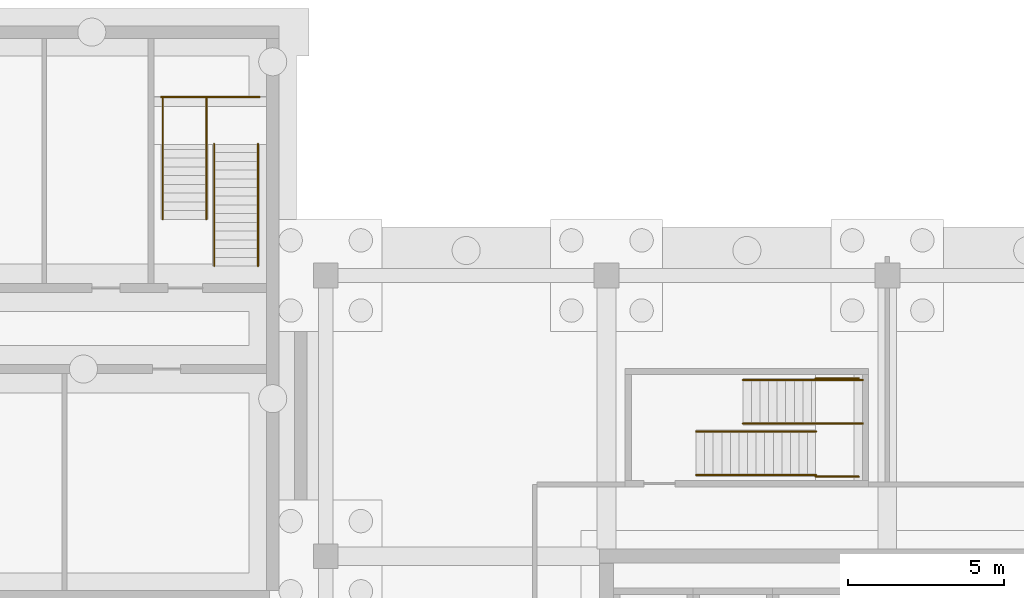
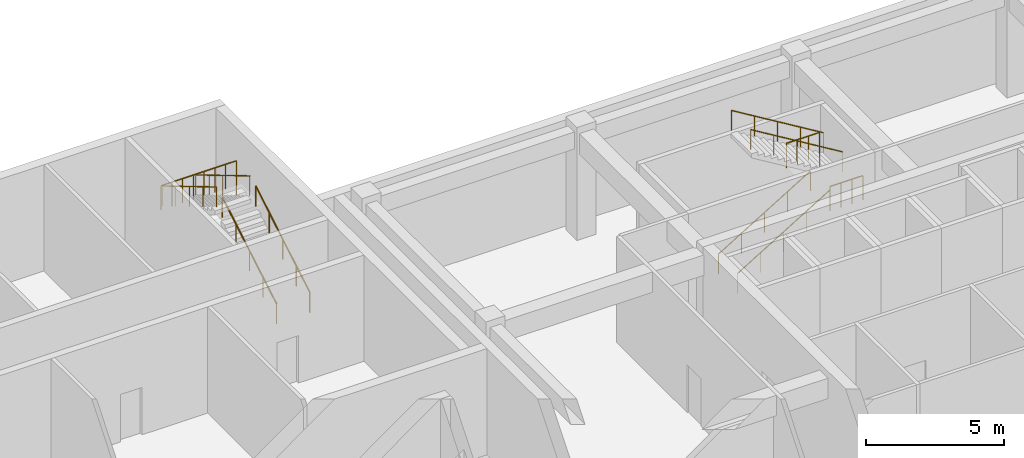
# One storey, part 16 of 17: 11 railings.
"""IFC4 building model written with IfcOpenShell, lengths in metres."""

import ifcopenshell
import ifcopenshell.guid

model = None  # the IFC model being written
_history = None  # IfcOwnerHistory: only IFC2X3 demands one
_inside = {}  # id of a spatial element -> (the spatial element, [elements in it])
_under = {}  # id of a project, library or spatial element -> (it, [spatial elements below it])
_declared = {}  # id of a project -> (the project, [libraries it declares])
_typed = {}  # id of a type object -> (the type object, [elements of that type])
_made_of = {}  # id of a material, layer set ... -> (it, [elements and type objects made of it])


def new_model(schema):
    """Start an empty IFC model of exactly this schema.

    Asked for "IFC4X3", IfcOpenShell would pick the latest addendum, in which some entities
    have other attributes; the version numbers below select the first issue.
    IFC2X3 requires an IfcOwnerHistory on every rooted entity: one is made here for all.
    """
    global model, _history
    if schema == "IFC4X3":
        model = ifcopenshell.file(schema_version=(4, 3, 0, 0))
    else:
        model = ifcopenshell.file(schema=schema)
    _inside.clear()
    _under.clear()
    _declared.clear()
    _typed.clear()
    _made_of.clear()
    _history = None
    if model.schema == "IFC2X3":
        org = make("IfcOrganization", Name="unknown")
        user = make(
            "IfcPersonAndOrganization",
            ThePerson=make("IfcPerson", FamilyName="unknown"),
            TheOrganization=org,
        )
        app = make(
            "IfcApplication",
            ApplicationDeveloper=org,
            Version="unknown",
            ApplicationFullName="unknown",
            ApplicationIdentifier="unknown",
        )
        _history = make(
            "IfcOwnerHistory",
            OwningUser=user,
            OwningApplication=app,
            ChangeAction="ADDED",
            CreationDate=0,
        )
    return model


def make(cls, **values):
    """One entity of the class cls with the attributes given. An attribute that is None is left unset."""
    return model.create_entity(
        cls, **{name: value for name, value in values.items() if value is not None}
    )


def rooted(cls, **values):
    """An entity with a GlobalId (a new one), such as an element, a storey or a relation."""
    return make(cls, GlobalId=ifcopenshell.guid.new(), OwnerHistory=_history, **values)


def si_unit(unit_type, name, prefix=None):
    """IfcSIUnit, for example si_unit("LENGTHUNIT", "METRE", prefix="MILLI")."""
    return make("IfcSIUnit", UnitType=unit_type, Prefix=prefix, Name=name)


def assignment(units):
    """IfcUnitAssignment: the units of a project."""
    return None if units is None else make("IfcUnitAssignment", Units=units)


def point(xyz):
    """IfcCartesianPoint."""
    return None if xyz is None else make("IfcCartesianPoint", Coordinates=xyz)


def direction(xyz):
    """IfcDirection."""
    return None if xyz is None else make("IfcDirection", DirectionRatios=xyz)


def frame(location, z_axis=None, x_axis=None):
    """IfcAxis2Placement3D, a coordinate frame: its origin and axes. An axis left out is left unset."""
    return make(
        "IfcAxis2Placement3D",
        Location=point(location),
        Axis=direction(z_axis),
        RefDirection=direction(x_axis),
    )


def frame_2d(location, x_axis=None):
    """IfcAxis2Placement2D, a coordinate frame in the plane: its origin and x axis."""
    return make(
        "IfcAxis2Placement2D", Location=point(location), RefDirection=direction(x_axis)
    )


def origin():
    """The frame at (0, 0, 0) with its axes left unset."""
    return frame((0.0, 0.0, 0.0))


def origin_2d():
    """The frame at (0, 0) in the plane with its x axis left unset."""
    return frame_2d((0.0, 0.0))


def place(relative_to, where):
    """IfcLocalPlacement: puts the frame where relative to a parent placement (None: the world)."""
    return make(
        "IfcLocalPlacement", PlacementRelTo=relative_to, RelativePlacement=where
    )


def context(
    kind, dimensions, precision=None, world=None, true_north=None, identifier=None
):
    """IfcGeometricRepresentationContext, for example the 3D "Model" context."""
    return make(
        "IfcGeometricRepresentationContext",
        ContextIdentifier=identifier,
        ContextType=kind,
        CoordinateSpaceDimension=dimensions,
        Precision=precision,
        WorldCoordinateSystem=world,
        TrueNorth=true_north,
    )


def subcontext(parent, identifier, kind, view, scale=None):
    """IfcGeometricRepresentationSubContext, for example "Body" below "Model"."""
    return make(
        "IfcGeometricRepresentationSubContext",
        ContextIdentifier=identifier,
        ContextType=kind,
        ParentContext=parent,
        TargetScale=scale,
        TargetView=view,
    )


def project(units=None, contexts=None):
    """IfcProject with its units and contexts."""
    return rooted(
        "IfcProject",
        Name="project",
        RepresentationContexts=contexts,
        UnitsInContext=assignment(units),
    )


def spatial(cls, under=None, at=None, **own):
    """A site, building, storey or space (cls), placed at a placement, below another one or the project."""
    s = rooted(cls, ObjectPlacement=at, **own)
    if under is not None:
        _under.setdefault(under.id(), (under, []))[1].append(s)
    return s


def profile(cls, at=None, kind="AREA", **sizes):
    """A parametric profile (cls). Its sizes go by their IFC names, for example OverallWidth=200.0."""
    return make(cls, ProfileType=kind, Position=at, **sizes)


def circle(**sizes):
    """IfcCircleProfileDef."""
    return profile("IfcCircleProfileDef", **sizes)


def extrude(swept, where, along, depth):
    """IfcExtrudedAreaSolid: the profile swept, set in the frame where, extruded along a direction by depth."""
    return make(
        "IfcExtrudedAreaSolid",
        SweptArea=swept,
        Position=where,
        ExtrudedDirection=direction(along),
        Depth=depth,
    )


def shape(context_of_items, identifier, shape_type, items):
    """IfcShapeRepresentation: the items that make up one representation, for example the "Body"."""
    return make(
        "IfcShapeRepresentation",
        ContextOfItems=context_of_items,
        RepresentationIdentifier=identifier,
        RepresentationType=shape_type,
        Items=items,
    )


def material(Name=None, Category=None):
    """IfcMaterial."""
    return make("IfcMaterial", Name=Name, Category=Category)


def made_of(thing, what):
    """Note that an element or type object is made of a material, layer set ...; save() writes the relation."""
    if what is not None:
        _made_of.setdefault(what.id(), (what, []))[1].append(thing)
    return thing


def type_object(cls, material=None, **own):
    """A type object (cls), such as IfcWallType, which elements share."""
    return made_of(rooted(cls, **own), material)


def element(
    cls,
    number,
    at=None,
    inside=None,
    cuts=None,
    type_object=None,
    material=None,
    context=None,
    identifier="Body",
    shape_type=None,
    held_by="IfcProductDefinitionShape",
    body=None,
    shapes=None,
    **own,
):
    """One element of the class cls, such as IfcWall. Its Tag is "e" and its number.

    at: its placement. inside: the storey or other place that contains it. cuts: it is an
    opening in that element (IfcRelVoidsElement). A single representation is given by context,
    identifier, shape_type and body (its items); several are given by shapes. held_by: the class
    of the entity that holds the representations. save() writes the other relations.
    """
    e = rooted(cls, Tag="e%d" % number, ObjectPlacement=at, **own)
    if body is not None:
        shapes = [shape(context, identifier, shape_type, body)]
    if shapes is not None:
        e.Representation = make(held_by, Representations=shapes)
    if inside is not None:
        _inside.setdefault(inside.id(), (inside, []))[1].append(e)
    if cuts is not None:
        rooted(
            "IfcRelVoidsElement", RelatingBuildingElement=cuts, RelatedOpeningElement=e
        )
    if type_object is not None:
        _typed.setdefault(type_object.id(), (type_object, []))[1].append(e)
    return made_of(e, material)


def aggregate(whole, parts):
    """IfcRelAggregates: a whole, such as a stair, and the parts it consists of."""
    return rooted("IfcRelAggregates", RelatingObject=whole, RelatedObjects=parts)


def save(model, path):
    """Write the relations noted so far, then the file.

    IfcRelAggregates (storeys below a building ...), IfcRelContainedInSpatialStructure (elements
    in a storey), IfcRelDefinesByType, IfcRelAssociatesMaterial and IfcRelDeclares: one each for
    every whole, place, type object, material and project.
    """
    for whole, parts in _under.values():
        aggregate(whole, parts)
    for where, things in _inside.values():
        rooted(
            "IfcRelContainedInSpatialStructure",
            RelatedElements=things,
            RelatingStructure=where,
        )
    for kind, things in _typed.values():
        rooted("IfcRelDefinesByType", RelatedObjects=things, RelatingType=kind)
    for what, things in _made_of.values():
        rooted("IfcRelAssociatesMaterial", RelatedObjects=things, RelatingMaterial=what)
    for by, libraries in _declared.values():
        rooted("IfcRelDeclares", RelatingContext=by, RelatedDefinitions=libraries)
    model.write(path)


model = new_model("IFC4")

# Units and contexts
model_context = context("Model", 3, precision=1e-05, world=origin(), true_north=direction((0.0, 1.0)))
body_context = subcontext(model_context, "Body", "Model", "MODEL_VIEW")
ifc_project = project(units=[si_unit("LENGTHUNIT", "METRE"), si_unit("AREAUNIT", "SQUARE_METRE"), si_unit("VOLUMEUNIT", "CUBIC_METRE"), si_unit("PLANEANGLEUNIT", "RADIAN"), si_unit("MASSUNIT", "GRAM", prefix="KILO")], contexts=[model_context])

# Site, building, storey
site_placement = place(None, origin())
site = spatial("IfcSite", under=ifc_project, at=site_placement, CompositionType="ELEMENT")
building_placement = place(site_placement, origin())
building = spatial("IfcBuilding", under=site, at=building_placement, Name="Tuart Plaza Theatre", CompositionType="ELEMENT")
storey_placement = place(building_placement, frame((0.0, 0.0, -10.0)))
storey = spatial("IfcBuildingStorey", under=building, at=storey_placement, Name="B2", CompositionType="ELEMENT", Elevation=-10.0)

# Railings
ifc_material_1 = material(Name="Steel Grade C350L0", Category="steel")
railing_type_1 = type_object("IfcRailingType", Name="RAILING Guard 1100", PredefinedType="GUARDRAIL", material=ifc_material_1)
railing_1_placement = place(storey_placement, frame((129.699951171875, 85.550048828125, 2.5)))
element("IfcRailing", 1, at=railing_1_placement, inside=storey, type_object=railing_type_1, Name="GR447", PredefinedType="GUARDRAIL", context=body_context, shape_type="SweptSolid", body=[
    extrude(circle(Radius=0.02490234375, at=origin_2d()), frame((0.0, 0.0, 1.0751953125), z_axis=(1.0, 0.0, 0.0), x_axis=(0.0, 1.0, 0.0)), (0.0, 0.0, 1.0), 1.380126953125),
    extrude(circle(Radius=0.02001953125, at=origin_2d()), origin(), (0.0, 0.0, 1.0), 1.050048828125),
    extrude(circle(Radius=0.02001953125, at=origin_2d()), frame((0.4599609375, 0.0, 0.0)), (0.0, 0.0, 1.0), 1.050048828125),
    extrude(circle(Radius=0.02001953125, at=origin_2d()), frame((0.920166015625, 0.0, 0.0)), (0.0, 0.0, 1.0), 1.050048828125),
    extrude(circle(Radius=0.02001953125, at=origin_2d()), frame((1.380126953125, 0.0, 0.0)), (0.0, 0.0, 1.0), 1.050048828125),
])
railing_2_placement = place(storey_placement, frame((131.080078125, 88.699951171875, 2.5)))
element("IfcRailing", 2, at=railing_2_placement, inside=storey, type_object=railing_type_1, Name="GR448", PredefinedType="GUARDRAIL", context=body_context, shape_type="SweptSolid", body=[
    extrude(circle(Radius=0.02490234375, at=origin_2d()), frame((0.0, 0.0, 1.0751953125), z_axis=(-1.0, 0.0, 0.0), x_axis=(0.0, -1.0, 0.0)), (0.0, 0.0, 1.0), 1.380126953125),
    extrude(circle(Radius=0.02001953125, at=origin_2d()), origin(), (0.0, 0.0, 1.0), 1.050048828125),
    extrude(circle(Radius=0.02001953125, at=origin_2d()), frame((-0.4599609375, 0.0, 0.0)), (0.0, 0.0, 1.0), 1.050048828125),
    extrude(circle(Radius=0.02001953125, at=origin_2d()), frame((-0.920166015625, 0.0, 0.0)), (0.0, 0.0, 1.0), 1.050048828125),
    extrude(circle(Radius=0.02001953125, at=origin_2d()), frame((-1.380126953125, 0.0, 0.0)), (0.0, 0.0, 1.0), 1.050048828125),
])
railing_3_placement = place(storey_placement, frame((111.875, 97.719970703125, 2.5)))
element("IfcRailing", 3, at=railing_3_placement, inside=storey, type_object=railing_type_1, Name="GR468", PredefinedType="GUARDRAIL", context=body_context, shape_type="SweptSolid", body=[
    extrude(circle(Radius=0.02490234375, at=origin_2d()), frame((0.0, 0.0, 1.0751953125), z_axis=(-1.0, 0.0, 0.0), x_axis=(0.0, -1.0, 0.0)), (0.0, 0.0, 1.0), 3.14990234375),
    extrude(circle(Radius=0.02001953125, at=origin_2d()), origin(), (0.0, 0.0, 1.0), 1.050048828125),
    extrude(circle(Radius=0.02001953125, at=origin_2d()), frame((-0.449951171875, 0.0, 0.0)), (0.0, 0.0, 1.0), 1.050048828125),
    extrude(circle(Radius=0.02001953125, at=origin_2d()), frame((-0.89990234375, 0.0, 0.0)), (0.0, 0.0, 1.0), 1.050048828125),
    extrude(circle(Radius=0.02001953125, at=origin_2d()), frame((-1.349853515625, 0.0, 0.0)), (0.0, 0.0, 1.0), 1.050048828125),
    extrude(circle(Radius=0.02001953125, at=origin_2d()), frame((-1.800048828125, 0.0, 0.0)), (0.0, 0.0, 1.0), 1.050048828125),
    extrude(circle(Radius=0.02001953125, at=origin_2d()), frame((-2.25, 0.0, 0.0)), (0.0, 0.0, 1.0), 1.050048828125),
    extrude(circle(Radius=0.02001953125, at=origin_2d()), frame((-2.699951171875, 0.0, 0.0)), (0.0, 0.0, 1.0), 1.050048828125),
    extrude(circle(Radius=0.02001953125, at=origin_2d()), frame((-3.14990234375, 0.0, 0.0)), (0.0, 0.0, 1.0), 1.050048828125),
])
ifc_material_2 = material(Name="Steel Grade C350L0", Category="steel")
railing_type_2 = type_object("IfcRailingType", Name="RAILING Handrail 900", PredefinedType="HANDRAIL", material=ifc_material_2)
for number, where, name in (
    (4, (125.8701171875, 87.0, 0.166748046875), "HR315"),
    (5, (125.8701171875, 85.60009765625, 0.166748046875), "HR316"),
):
    element("IfcRailing", number, at=place(storey_placement, frame(where)), inside=storey, type_object=railing_type_2, Name=name, PredefinedType="HANDRAIL", context=body_context, shape_type="SweptSolid", body=[
        extrude(circle(Radius=0.0224609375, at=origin_2d()), frame((0.0, 0.0, 0.87744140625), z_axis=(0.855197103107, 0.0, 0.518302918029), x_axis=(0.0, 1.0, 0.0)), (0.0, 0.0, 1.0), 4.501708984375),
        extrude(circle(Radius=0.01513671875, at=origin_2d()), origin(), (0.0, 0.0, 1.0), 0.85498046875),
        extrude(circle(Radius=0.01513671875, at=origin_2d()), frame((0.96240234375, 0.0, 0.583251953125)), (0.0, 0.0, 1.0), 0.85498046875),
        extrude(circle(Radius=0.01513671875, at=origin_2d()), frame((1.9248046875, 0.0, 1.16650390625)), (0.0, 0.0, 1.0), 0.85498046875),
        extrude(circle(Radius=0.01513671875, at=origin_2d()), frame((2.887451171875, 0.0, 1.75)), (0.0, 0.0, 1.0), 0.85498046875),
        extrude(circle(Radius=0.01513671875, at=origin_2d()), frame((3.849853515625, 0.0, 2.333251953125)), (0.0, 0.0, 1.0), 0.85498046875),
    ])
for number, where, name in (
    (6, (131.219970703125, 87.25, 2.666748046875), "HR317"),
    (7, (131.219970703125, 88.64990234375, 2.666748046875), "HR318"),
):
    element("IfcRailing", number, at=place(storey_placement, frame(where)), inside=storey, type_object=railing_type_2, Name=name, PredefinedType="HANDRAIL", context=body_context, shape_type="SweptSolid", body=[
        extrude(circle(Radius=0.0224609375, at=origin_2d()), frame((0.0, 0.0, 0.87744140625), z_axis=(-0.855197103107, 0.0, 0.518302918029), x_axis=(0.0, -1.0, 0.0)), (0.0, 0.0, 1.0), 4.501708984375),
        extrude(circle(Radius=0.01513671875, at=origin_2d()), origin(), (0.0, 0.0, 1.0), 0.85498046875),
        extrude(circle(Radius=0.01513671875, at=origin_2d()), frame((-0.96240234375, 0.0, 0.583251953125)), (0.0, 0.0, 1.0), 0.85498046875),
        extrude(circle(Radius=0.01513671875, at=origin_2d()), frame((-1.9248046875, 0.0, 1.16650390625)), (0.0, 0.0, 1.0), 0.85498046875),
        extrude(circle(Radius=0.01513671875, at=origin_2d()), frame((-2.887451171875, 0.0, 1.75)), (0.0, 0.0, 1.0), 0.85498046875),
        extrude(circle(Radius=0.01513671875, at=origin_2d()), frame((-3.849853515625, 0.0, 2.333251953125)), (0.0, 0.0, 1.0), 0.85498046875),
    ])
for number, where, name in (
    (8, (110.425048828125, 92.300048828125, 0.166748046875), "HR339"),
    (9, (111.824951171875, 92.300048828125, 0.166748046875), "HR340"),
):
    element("IfcRailing", number, at=place(storey_placement, frame(where)), inside=storey, type_object=railing_type_2, Name=name, PredefinedType="HANDRAIL", context=body_context, shape_type="SweptSolid", body=[
        extrude(circle(Radius=0.0224609375, at=origin_2d()), frame((0.0, 0.0, 0.87744140625), z_axis=(0.0, 0.859296244711, 0.511478214419), x_axis=(-1.0, 0.0, 0.0)), (0.0, 0.0, 1.0), 4.561767578125),
        extrude(circle(Radius=0.01513671875, at=origin_2d()), origin(), (0.0, 0.0, 1.0), 0.85498046875),
        extrude(circle(Radius=0.01513671875, at=origin_2d()), frame((0.0, 0.97998046875, 0.583251953125)), (0.0, 0.0, 1.0), 0.85498046875),
        extrude(circle(Radius=0.01513671875, at=origin_2d()), frame((0.0, 1.9599609375, 1.16650390625)), (0.0, 0.0, 1.0), 0.85498046875),
        extrude(circle(Radius=0.01513671875, at=origin_2d()), frame((0.0, 2.93994140625, 1.75)), (0.0, 0.0, 1.0), 0.85498046875),
        extrude(circle(Radius=0.01513671875, at=origin_2d()), frame((0.0, 3.919921875, 2.333251953125)), (0.0, 0.0, 1.0), 0.85498046875),
    ])
for number, where, name in (
    (10, (110.175048828125, 97.719970703125, 2.666748046875), "HR341"),
    (11, (108.77490234375, 97.719970703125, 2.666748046875), "HR342"),
):
    element("IfcRailing", number, at=place(storey_placement, frame(where)), inside=storey, type_object=railing_type_2, Name=name, PredefinedType="HANDRAIL", context=body_context, shape_type="SweptSolid", body=[
        extrude(circle(Radius=0.0224609375, at=origin_2d()), frame((0.0, 0.0, 0.87744140625), z_axis=(0.0, -0.859296244711, 0.511478214419), x_axis=(1.0, 0.0, 0.0)), (0.0, 0.0, 1.0), 4.561767578125),
        extrude(circle(Radius=0.01513671875, at=origin_2d()), origin(), (0.0, 0.0, 1.0), 0.85498046875),
        extrude(circle(Radius=0.01513671875, at=origin_2d()), frame((0.0, -0.97998046875, 0.583251953125)), (0.0, 0.0, 1.0), 0.85498046875),
        extrude(circle(Radius=0.01513671875, at=origin_2d()), frame((0.0, -1.9599609375, 1.16650390625)), (0.0, 0.0, 1.0), 0.85498046875),
        extrude(circle(Radius=0.01513671875, at=origin_2d()), frame((0.0, -2.93994140625, 1.75)), (0.0, 0.0, 1.0), 0.85498046875),
        extrude(circle(Radius=0.01513671875, at=origin_2d()), frame((0.0, -3.919921875, 2.333251953125)), (0.0, 0.0, 1.0), 0.85498046875),
    ])

save(model, "model.ifc")
